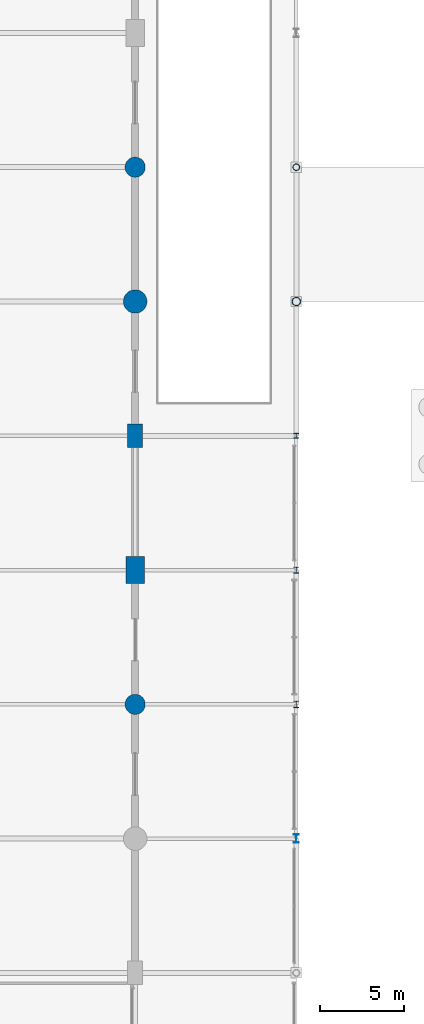
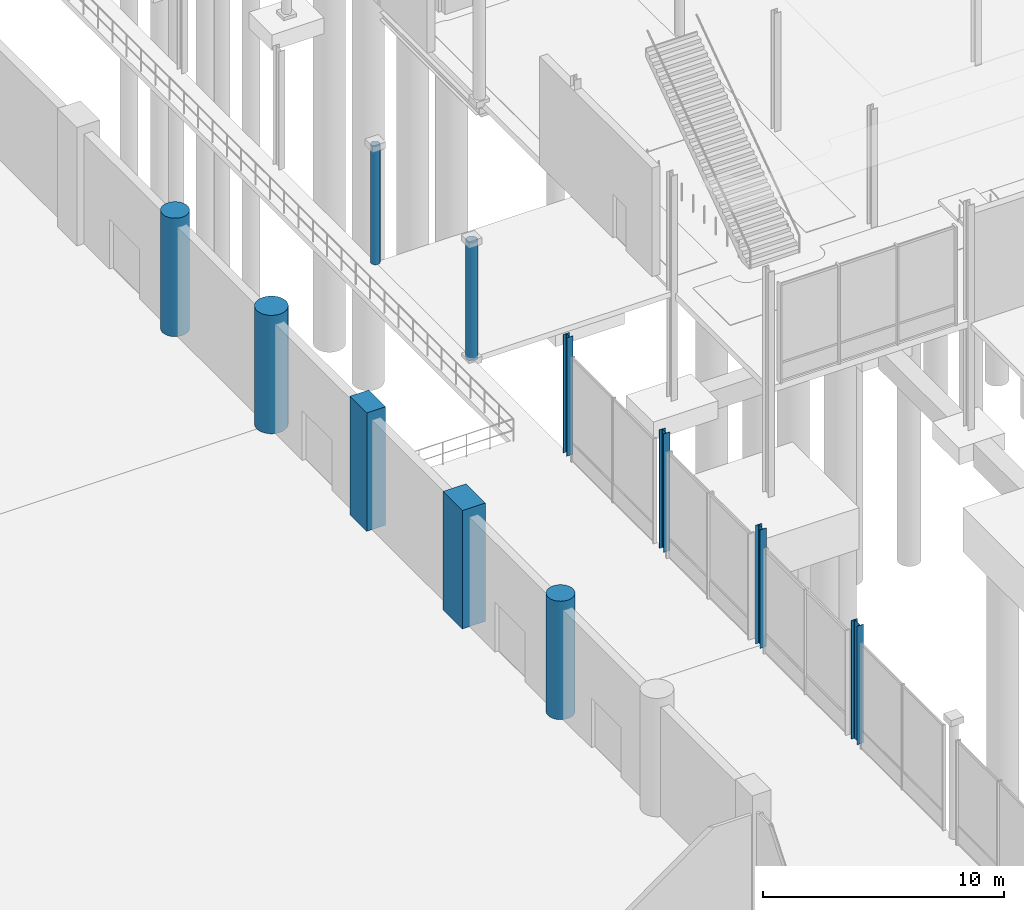
# One storey, part 15 of 124: 11 columns.
"""IFC4 building model written with IfcOpenShell, lengths in metres."""

from ifc_helpers import new_model, si_unit, direction, frame, origin, origin_2d, place, context, subcontext, project, spatial, rectangle, circle, hollow_circle, i_section, extrude, material, material_profile, profile_set, type_object, element, save


model = new_model("IFC4")

# Units and contexts
model_context = context("Model", 3, precision=1e-05, world=origin(), true_north=direction((0.0, 1.0)))
body_context = subcontext(model_context, "Body", "Model", "MODEL_VIEW")
ifc_project = project(units=[si_unit("LENGTHUNIT", "METRE"), si_unit("AREAUNIT", "SQUARE_METRE"), si_unit("VOLUMEUNIT", "CUBIC_METRE"), si_unit("PLANEANGLEUNIT", "RADIAN"), si_unit("MASSUNIT", "GRAM", prefix="KILO")], contexts=[model_context])

# Site, building, storey
site_placement = place(None, origin())
site = spatial("IfcSite", under=ifc_project, at=site_placement, CompositionType="ELEMENT")
building_placement = place(site_placement, origin())
building = spatial("IfcBuilding", under=site, at=building_placement, Name="Danafjord Basin Convention Centre", CompositionType="ELEMENT")
storey_placement = place(building_placement, origin())
storey = spatial("IfcBuildingStorey", under=building, at=storey_placement, Name="L00", CompositionType="ELEMENT", Elevation=0.0)

# Columns
ifc_material_1 = material(Name="Steel S355", Category="steel")
ifc_material_profile_1 = material_profile(ifc_material_1, hollow_circle(Radius=0.203125, WallThickness=0.02001953125, at=origin_2d()), Name="CHS 406.4x20.0")
ifc_profile_set_1 = profile_set([ifc_material_profile_1], Name="Steel S355")
column_type_1 = type_object("IfcColumnType", Name="COL-C-CHS406", PredefinedType="COLUMN", material=ifc_profile_set_1)
column_1_placement = place(storey_placement, frame((124.800048828125, 104.0, 0.0), z_axis=(0.0, 0.0, 1.0), x_axis=(1.0, 0.0, 0.0)))
element("IfcColumn", 1, at=column_1_placement, inside=storey, type_object=column_type_1, Name="L00 column C-CHS406 at (124.8, 104.0)", PredefinedType="COLUMN", context=body_context, shape_type="SweptSolid", body=[
    extrude(hollow_circle(Radius=0.203125, WallThickness=0.02001953125, at=origin_2d()), origin(), (0.0, 0.0, 1.0), 6.0),
])
ifc_material_profile_2 = material_profile(ifc_material_1, hollow_circle(Radius=0.25390625, WallThickness=0.02490234375, at=origin_2d()), Name="CHS 508.0x25.0")
ifc_profile_set_2 = profile_set([ifc_material_profile_2], Name="Steel S355")
column_type_2 = type_object("IfcColumnType", Name="COL-C-CHS508", PredefinedType="COLUMN", material=ifc_profile_set_2)
column_2_placement = place(storey_placement, frame((124.800048828125, 96.0, 0.0), z_axis=(0.0, 0.0, 1.0), x_axis=(1.0, 0.0, 0.0)))
element("IfcColumn", 2, at=column_2_placement, inside=storey, type_object=column_type_2, Name="L00 column C-CHS508 at (124.8, 96.0)", PredefinedType="COLUMN", context=body_context, shape_type="SweptSolid", body=[
    extrude(hollow_circle(Radius=0.25390625, WallThickness=0.02490234375, at=origin_2d()), origin(), (0.0, 0.0, 1.0), 6.0),
])
ifc_material_profile_3 = material_profile(ifc_material_1, i_section(OverallWidth=0.300048828125, OverallDepth=0.300048828125, WebThickness=0.010986328125, FlangeThickness=0.01904296875, FilletRadius=0.027099609375, at=origin_2d()), Name="HEB 300")
ifc_profile_set_3 = profile_set([ifc_material_profile_3], Name="Steel S355")
column_type_3 = type_object("IfcColumnType", Name="COL-C-HEB300", PredefinedType="COLUMN", material=ifc_profile_set_3)
column_3_placement = place(storey_placement, frame((124.800048828125, 88.0, 0.0), z_axis=(0.0, 0.0, 1.0), x_axis=(1.0, 0.0, 0.0)))
element("IfcColumn", 3, at=column_3_placement, inside=storey, type_object=column_type_3, Name="L00 column C-HEB300 at (124.8, 88.0)", PredefinedType="COLUMN", context=body_context, shape_type="SweptSolid", body=[
    extrude(i_section(OverallWidth=0.300048828125, OverallDepth=0.300048828125, WebThickness=0.010986328125, FlangeThickness=0.01904296875, FilletRadius=0.027099609375, at=origin_2d()), origin(), (0.0, 0.0, 1.0), 6.0),
])
ifc_material_profile_4 = material_profile(ifc_material_1, i_section(OverallWidth=0.300048828125, OverallDepth=0.360107421875, WebThickness=0.012451171875, FlangeThickness=0.0224609375, FilletRadius=0.027099609375, at=origin_2d()), Name="HEB 360")
ifc_profile_set_4 = profile_set([ifc_material_profile_4], Name="Steel S355")
column_type_4 = type_object("IfcColumnType", Name="COL-C-HEB360", PredefinedType="COLUMN", material=ifc_profile_set_4)
column_4_placement = place(storey_placement, frame((124.800048828125, 80.0, 0.0), z_axis=(0.0, 0.0, 1.0), x_axis=(1.0, 0.0, 0.0)))
element("IfcColumn", 4, at=column_4_placement, inside=storey, type_object=column_type_4, Name="L00 column C-HEB360 at (124.8, 80.0)", PredefinedType="COLUMN", context=body_context, shape_type="SweptSolid", body=[
    extrude(i_section(OverallWidth=0.300048828125, OverallDepth=0.360107421875, WebThickness=0.012451171875, FlangeThickness=0.0224609375, FilletRadius=0.027099609375, at=origin_2d()), origin(), (0.0, 0.0, 1.0), 6.0),
])
ifc_material_profile_5 = material_profile(ifc_material_1, i_section(OverallWidth=0.300048828125, OverallDepth=0.39990234375, WebThickness=0.013427734375, FlangeThickness=0.02392578125, FilletRadius=0.027099609375, at=origin_2d()), Name="HEB 400")
ifc_profile_set_5 = profile_set([ifc_material_profile_5], Name="Steel S355")
column_type_5 = type_object("IfcColumnType", Name="COL-C-HEB400", PredefinedType="COLUMN", material=ifc_profile_set_5)
column_5_placement = place(storey_placement, frame((124.800048828125, 72.0, 0.0), z_axis=(0.0, 0.0, 1.0), x_axis=(1.0, 0.0, 0.0)))
element("IfcColumn", 5, at=column_5_placement, inside=storey, type_object=column_type_5, Name="L00 column C-HEB400 at (124.8, 72.0)", PredefinedType="COLUMN", context=body_context, shape_type="SweptSolid", body=[
    extrude(i_section(OverallWidth=0.300048828125, OverallDepth=0.39990234375, WebThickness=0.013427734375, FlangeThickness=0.02392578125, FilletRadius=0.027099609375, at=origin_2d()), origin(), (0.0, 0.0, 1.0), 6.0),
])
ifc_material_profile_6 = material_profile(ifc_material_1, i_section(OverallWidth=0.300048828125, OverallDepth=0.5, WebThickness=0.014404296875, FlangeThickness=0.028076171875, FilletRadius=0.027099609375, at=origin_2d()), Name="HEB 500")
ifc_profile_set_6 = profile_set([ifc_material_profile_6], Name="Steel S355")
column_type_6 = type_object("IfcColumnType", Name="COL-C-HEB500", PredefinedType="COLUMN", material=ifc_profile_set_6)
column_6_placement = place(storey_placement, frame((124.800048828125, 64.0, 0.0), z_axis=(0.0, 0.0, 1.0), x_axis=(1.0, 0.0, 0.0)))
element("IfcColumn", 6, at=column_6_placement, inside=storey, type_object=column_type_6, Name="L00 column C-HEB500 at (124.8, 64.0)", PredefinedType="COLUMN", context=body_context, shape_type="SweptSolid", body=[
    extrude(i_section(OverallWidth=0.300048828125, OverallDepth=0.5, WebThickness=0.014404296875, FlangeThickness=0.028076171875, FilletRadius=0.027099609375, at=origin_2d()), origin(), (0.0, 0.0, 1.0), 6.0),
])
ifc_material_2 = material(Name="Concrete C50/60", Category="concrete")
ifc_material_profile_7 = material_profile(ifc_material_2, rectangle(XDim=0.89990234375, YDim=1.39990234375, at=origin_2d()), Name="RC 1400x900")
ifc_profile_set_7 = profile_set([ifc_material_profile_7], Name="Concrete C50/60")
column_type_7 = type_object("IfcColumnType", Name="COL-C-RC1400", PredefinedType="COLUMN", material=ifc_profile_set_7)
column_7_placement = place(storey_placement, frame((115.199951171875, 88.0, 0.0), z_axis=(0.0, 0.0, 1.0), x_axis=(1.0, 0.0, 0.0)))
element("IfcColumn", 7, at=column_7_placement, inside=storey, type_object=column_type_7, Name="L00 column C-RC1400 at (115.2, 88.0)", PredefinedType="COLUMN", context=body_context, shape_type="SweptSolid", body=[
    extrude(rectangle(XDim=0.89990234375, YDim=1.39990234375, at=origin_2d()), origin(), (0.0, 0.0, 1.0), 6.0),
])
ifc_material_profile_8 = material_profile(ifc_material_2, rectangle(XDim=1.10009765625, YDim=1.60009765625, at=origin_2d()), Name="RC 1600x1100")
ifc_profile_set_8 = profile_set([ifc_material_profile_8], Name="Concrete C50/60")
column_type_8 = type_object("IfcColumnType", Name="COL-C-RC1600", PredefinedType="COLUMN", material=ifc_profile_set_8)
column_8_placement = place(storey_placement, frame((115.199951171875, 80.0, 0.0), z_axis=(0.0, 0.0, 1.0), x_axis=(1.0, 0.0, 0.0)))
element("IfcColumn", 8, at=column_8_placement, inside=storey, type_object=column_type_8, Name="L00 column C-RC1600 at (115.2, 80.0)", PredefinedType="COLUMN", context=body_context, shape_type="SweptSolid", body=[
    extrude(rectangle(XDim=1.10009765625, YDim=1.60009765625, at=origin_2d()), origin(), (0.0, 0.0, 1.0), 6.0),
])
ifc_material_profile_9 = material_profile(ifc_material_2, circle(Radius=0.60009765625, at=origin_2d()), Name="RC D1200")
ifc_profile_set_9 = profile_set([ifc_material_profile_9], Name="Concrete C50/60")
column_type_9 = type_object("IfcColumnType", Name="COL-C-RCD1200", PredefinedType="COLUMN", material=ifc_profile_set_9)
for number, where, z_axis, x_axis, name in (
    (9, (115.199951171875, 72.0, 0.0), (0.0, 0.0, 1.0), (1.0, 0.0, 0.0), "L00 column C-RCD1200 at (115.2, 72.0)"),
    (10, (115.199951171875, 104.0, 0.0), (0.0, 0.0, 1.0), (1.0, 0.0, 0.0), "L00 column C-RCD1200 at (115.2, 104.0)"),
):
    element("IfcColumn", number, at=place(storey_placement, frame(where, z_axis=z_axis, x_axis=x_axis)), inside=storey, type_object=column_type_9, Name=name, PredefinedType="COLUMN", context=body_context, shape_type="SweptSolid", body=[
        extrude(circle(Radius=0.60009765625, at=origin_2d()), origin(), (0.0, 0.0, 1.0), 6.0),
    ])
ifc_material_profile_10 = material_profile(ifc_material_2, circle(Radius=0.699951171875, at=origin_2d()), Name="RC D1400")
ifc_profile_set_10 = profile_set([ifc_material_profile_10], Name="Concrete C50/60")
column_type_10 = type_object("IfcColumnType", Name="COL-C-RCD1400", PredefinedType="COLUMN", material=ifc_profile_set_10)
column_9_placement = place(storey_placement, frame((115.199951171875, 96.0, 0.0), z_axis=(0.0, 0.0, 1.0), x_axis=(1.0, 0.0, 0.0)))
element("IfcColumn", 11, at=column_9_placement, inside=storey, type_object=column_type_10, Name="L00 column C-RCD1400 at (115.2, 96.0)", PredefinedType="COLUMN", context=body_context, shape_type="SweptSolid", body=[
    extrude(circle(Radius=0.699951171875, at=origin_2d()), origin(), (0.0, 0.0, 1.0), 6.0),
])

save(model, "model.ifc")
